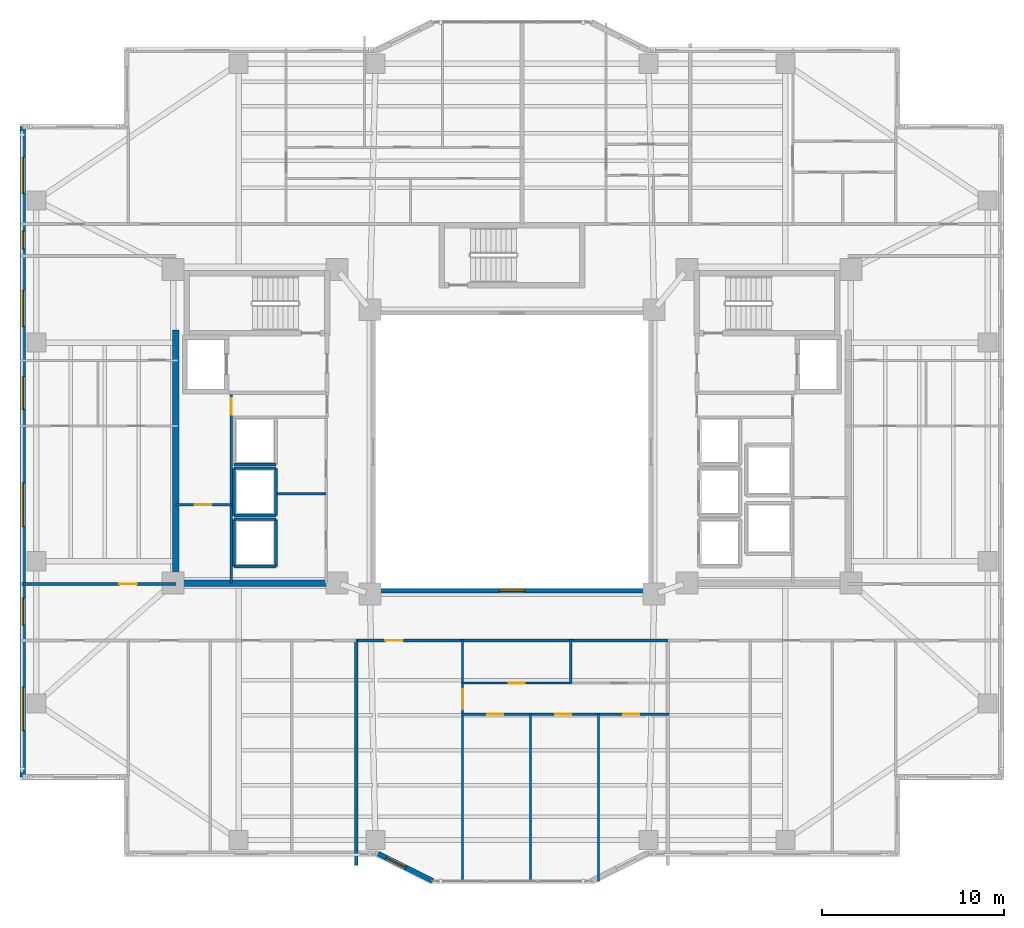
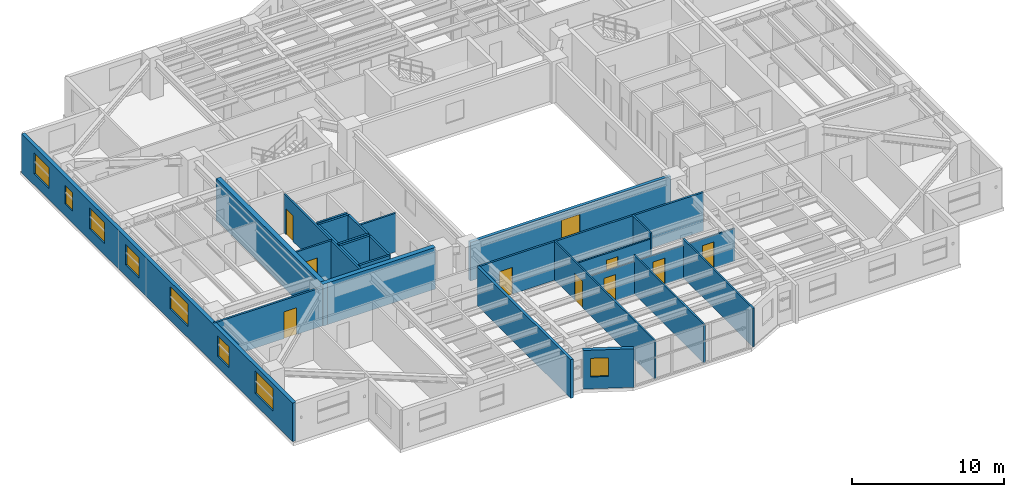
# One storey, part 6 of 18: 26 walls, 9 doors, 9 windows, 18 openings.
"""IFC4 building model written with IfcOpenShell, lengths in metres."""

from ifc_helpers import new_model, si_unit, direction, frame, frame_2d, origin, place, context, subcontext, project, spatial, rectangle, extrude, material, layer, layer_set, type_object, element, fill, save


model = new_model("IFC4")

# Units and contexts
model_context = context("Model", 3, precision=1e-05, world=origin(), true_north=direction((0.0, 1.0)))
body_context = subcontext(model_context, "Body", "Model", "MODEL_VIEW")
ifc_project = project(units=[si_unit("LENGTHUNIT", "METRE"), si_unit("AREAUNIT", "SQUARE_METRE"), si_unit("VOLUMEUNIT", "CUBIC_METRE"), si_unit("PLANEANGLEUNIT", "RADIAN"), si_unit("MASSUNIT", "GRAM", prefix="KILO")], contexts=[model_context])

# Site, building, storey
site_placement = place(None, origin())
site = spatial("IfcSite", under=ifc_project, at=site_placement, CompositionType="ELEMENT")
building_placement = place(site_placement, origin())
building = spatial("IfcBuilding", under=site, at=building_placement, Name="Tarnavaz Court Tower", CompositionType="ELEMENT")
storey_placement = place(building_placement, frame((0.0, 0.0, 91.699951171875)))
storey = spatial("IfcBuildingStorey", under=building, at=storey_placement, Name="L24", CompositionType="ELEMENT", Elevation=91.699951171875)

# Walls
ifc_material_1 = material(Name="Concrete C60/75", Category="concrete")
ifc_layer_1 = layer(ifc_material_1, 0.35009765625)
ifc_layer_set_1 = layer_set([ifc_layer_1], Name="Concrete C60/75")
wall_type_1 = type_object("IfcWallType", Name="WL-CORE-350-C60", PredefinedType="SHEAR", material=ifc_layer_set_1)
wall_1_placement = place(storey_placement, frame((-18.449951171875, -7.375, 0.0), z_axis=(0.0, 0.0, 1.0), x_axis=(0.0, 1.0, 0.0)))
element("IfcWall", 1, at=wall_1_placement, inside=storey, type_object=wall_type_1, Name="L24 West Core Shear Wall 057", PredefinedType="SHEAR", context=body_context, shape_type="SweptSolid", body=[
    extrude(rectangle(XDim=14.050048828125, YDim=0.35009765625, at=frame_2d((7.02490234375, 0.0))), origin(), (0.0, 0.0, 1.0), 3.35009765625),
])
wall_2_placement = place(storey_placement, frame((-18.625, -7.199951171875, 0.0), z_axis=(0.0, 0.0, 1.0), x_axis=(1.0, 0.0, 0.0)))
element("IfcWall", 2, at=wall_2_placement, inside=storey, type_object=wall_type_1, Name="L24 West Core South Shear Wall 058", PredefinedType="SHEAR", context=body_context, shape_type="SweptSolid", body=[
    extrude(rectangle(XDim=8.550048828125, YDim=0.35009765625, at=frame_2d((4.27490234375, 0.0))), origin(), (0.0, 0.0, 1.0), 3.35009765625),
])

# Wall, openings, windows
ifc_material_2 = material(Name="Precast Concrete C40/50", Category="concrete")
ifc_layer_2 = layer(ifc_material_2, 0.280029296875)
ifc_layer_set_2 = layer_set([ifc_layer_2], Name="Precast Concrete C40/50")
wall_type_2 = type_object("IfcWallType", Name="WL-EXT-280", PredefinedType="SOLIDWALL", material=ifc_layer_set_2)
wall_3_placement = place(storey_placement, frame((-26.85009765625, -17.85009765625, 0.0), z_axis=(0.0, 0.0, 1.0), x_axis=(0.0, 1.0, 0.0)))
wall_3 = element("IfcWall", 3, at=wall_3_placement, inside=storey, type_object=wall_type_2, Name="L24 Exterior Terracotta Facade Wall 02", PredefinedType="SOLIDWALL", context=body_context, shape_type="SweptSolid", body=[
    extrude(rectangle(XDim=35.7001953125, YDim=0.280029296875, at=frame_2d((17.85009765625, 0.0))), origin(), (0.0, 0.0, 1.0), 3.10009765625),
])
opening_1_placement = place(wall_3_placement, frame((2.550048828125, 0.0, 0.89990234375)))
opening_1 = element("IfcOpeningElement", 4, at=opening_1_placement, cuts=wall_3, Name="Opening W06", PredefinedType="OPENING", context=body_context, shape_type="SweptSolid", body=[
    extrude(rectangle(XDim=2.39990234375, YDim=1.800048828125, at=frame_2d((1.199951171875, 0.89990234375))), frame((0.0, 0.14990234375, 0.0), z_axis=(0.0, -1.0, 0.0), x_axis=(1.0, 0.0, 0.0)), (0.0, 0.0, 1.0), 0.300048828125),
])
opening_2_placement = place(wall_3_placement, frame((8.342529296875, 0.0, 0.89990234375)))
opening_2 = element("IfcOpeningElement", 5, at=opening_2_placement, cuts=wall_3, Name="Opening W03", PredefinedType="OPENING", context=body_context, shape_type="SweptSolid", body=[
    extrude(rectangle(XDim=1.5, YDim=1.64990234375, at=frame_2d((0.75, 0.824951171875))), frame((0.0, 0.14990234375, 0.0), z_axis=(0.0, -1.0, 0.0), x_axis=(1.0, 0.0, 0.0)), (0.0, 0.0, 1.0), 0.300048828125),
])
opening_3_placement = place(wall_3_placement, frame((13.75, 0.0, 0.89990234375)))
opening_3 = element("IfcOpeningElement", 6, at=opening_3_placement, cuts=wall_3, Name="Opening W06", PredefinedType="OPENING", context=body_context, shape_type="SweptSolid", body=[
    extrude(rectangle(XDim=2.39990234375, YDim=1.800048828125, at=frame_2d((1.199951171875, 0.89990234375))), frame((0.0, 0.14990234375, 0.0), z_axis=(0.0, -1.0, 0.0), x_axis=(1.0, 0.0, 0.0)), (0.0, 0.0, 1.0), 0.300048828125),
])
opening_4_placement = place(wall_3_placement, frame((20.175048828125, 0.0, 0.89990234375)))
opening_4 = element("IfcOpeningElement", 7, at=opening_4_placement, cuts=wall_3, Name="Opening W01", PredefinedType="OPENING", context=body_context, shape_type="SweptSolid", body=[
    extrude(rectangle(XDim=1.800048828125, YDim=1.64990234375, at=frame_2d((0.89990234375, 0.824951171875))), frame((0.0, 0.14990234375, 0.0), z_axis=(0.0, -1.0, 0.0), x_axis=(1.0, 0.0, 0.0)), (0.0, 0.0, 1.0), 0.300048828125),
])
opening_5_placement = place(wall_3_placement, frame((24.72509765625, 0.0, 0.89990234375)))
opening_5 = element("IfcOpeningElement", 8, at=opening_5_placement, cuts=wall_3, Name="Opening W08", PredefinedType="OPENING", context=body_context, shape_type="SweptSolid", body=[
    extrude(rectangle(XDim=2.0, YDim=1.699951171875, at=frame_2d((1.0, 0.85009765625))), frame((0.0, 0.14990234375, 0.0), z_axis=(0.0, -1.0, 0.0), x_axis=(1.0, 0.0, 0.0)), (0.0, 0.0, 1.0), 0.300048828125),
])
opening_6_placement = place(wall_3_placement, frame((28.97509765625, 0.0, 0.949951171875)))
opening_6 = element("IfcOpeningElement", 9, at=opening_6_placement, cuts=wall_3, Name="Opening W14", PredefinedType="OPENING", context=body_context, shape_type="SweptSolid", body=[
    extrude(rectangle(XDim=1.0, YDim=1.5, at=frame_2d((0.5, 0.75))), frame((0.0, 0.14990234375, 0.0), z_axis=(0.0, -1.0, 0.0), x_axis=(1.0, 0.0, 0.0)), (0.0, 0.0, 1.0), 0.300048828125),
])
opening_7_placement = place(wall_3_placement, frame((32.02490234375, 0.0, 0.89990234375)))
opening_7 = element("IfcOpeningElement", 10, at=opening_7_placement, cuts=wall_3, Name="Opening W08", PredefinedType="OPENING", context=body_context, shape_type="SweptSolid", body=[
    extrude(rectangle(XDim=2.0, YDim=1.699951171875, at=frame_2d((1.0, 0.85009765625))), frame((0.0, 0.14990234375, 0.0), z_axis=(0.0, -1.0, 0.0), x_axis=(1.0, 0.0, 0.0)), (0.0, 0.0, 1.0), 0.300048828125),
])
ifc_material_3 = material(Name="Double-Glazed Solar Low-E Glass", Category="glass")
window_type_1 = type_object("IfcWindowType", Name="WN-APT-1000", PartitioningType="SINGLE_PANEL", PredefinedType="WINDOW", material=ifc_material_3)
window_1_placement = place(opening_6_placement, origin())
window_1 = element("IfcWindow", 11, at=window_1_placement, inside=storey, type_object=window_type_1, Name="L24 North-West Corner Corridor Window", OverallHeight=1.5, OverallWidth=1.0, PartitioningType="SINGLE_PANEL", PredefinedType="WINDOW", context=body_context, shape_type="SweptSolid", body=[
    extrude(rectangle(XDim=1.0, YDim=1.5, at=frame_2d((0.5, 0.75))), frame((0.0, 0.030029296875, 0.0), z_axis=(0.0, -1.0, 0.0), x_axis=(1.0, 0.0, 0.0)), (0.0, 0.0, 1.0), 0.06005859375),
])
fill(opening_6, window_1)
window_type_2 = type_object("IfcWindowType", Name="WN-APT-1500", PartitioningType="DOUBLE_PANEL_VERTICAL", PredefinedType="WINDOW", material=ifc_material_3)
window_2_placement = place(opening_2_placement, origin())
window_2 = element("IfcWindow", 12, at=window_2_placement, inside=storey, type_object=window_type_2, Name="L24 South-West Corner Corridor Window", OverallHeight=1.64990234375, OverallWidth=1.5, PartitioningType="SINGLE_PANEL", PredefinedType="WINDOW", context=body_context, shape_type="SweptSolid", body=[
    extrude(rectangle(XDim=1.5, YDim=1.64990234375, at=frame_2d((0.75, 0.824951171875))), frame((0.0, 0.030029296875, 0.0), z_axis=(0.0, -1.0, 0.0), x_axis=(1.0, 0.0, 0.0)), (0.0, 0.0, 1.0), 0.06005859375),
])
fill(opening_2, window_2)
window_type_3 = type_object("IfcWindowType", Name="WN-APT-1800", PartitioningType="DOUBLE_PANEL_VERTICAL", PredefinedType="WINDOW", material=ifc_material_3)
window_3_placement = place(opening_4_placement, origin())
window_3 = element("IfcWindow", 13, at=window_3_placement, inside=storey, type_object=window_type_3, Name="L24 Flat 05 Kitchen Window", OverallHeight=1.64990234375, OverallWidth=1.800048828125, PartitioningType="SINGLE_PANEL", PredefinedType="WINDOW", context=body_context, shape_type="SweptSolid", body=[
    extrude(rectangle(XDim=1.800048828125, YDim=1.64990234375, at=frame_2d((0.89990234375, 0.824951171875))), frame((0.0, 0.030029296875, 0.0), z_axis=(0.0, -1.0, 0.0), x_axis=(1.0, 0.0, 0.0)), (0.0, 0.0, 1.0), 0.06005859375),
])
fill(opening_4, window_3)
window_type_4 = type_object("IfcWindowType", Name="WN-APT-2000", PartitioningType="DOUBLE_PANEL_VERTICAL", PredefinedType="WINDOW", material=ifc_material_3)
window_4_placement = place(opening_5_placement, origin())
window_4 = element("IfcWindow", 14, at=window_4_placement, inside=storey, type_object=window_type_4, Name="L24 Flat 05 Study Room Window", OverallHeight=1.699951171875, OverallWidth=2.0, PartitioningType="SINGLE_PANEL", PredefinedType="WINDOW", context=body_context, shape_type="SweptSolid", body=[
    extrude(rectangle(XDim=2.0, YDim=1.699951171875, at=frame_2d((1.0, 0.85009765625))), frame((0.0, 0.030029296875, 0.0), z_axis=(0.0, -1.0, 0.0), x_axis=(1.0, 0.0, 0.0)), (0.0, 0.0, 1.0), 0.06005859375),
])
fill(opening_5, window_4)
window_5_placement = place(opening_7_placement, origin())
window_5 = element("IfcWindow", 15, at=window_5_placement, inside=storey, type_object=window_type_4, Name="L24 North-West Corner Sunroom Study Window", OverallHeight=1.699951171875, OverallWidth=2.0, PartitioningType="SINGLE_PANEL", PredefinedType="WINDOW", context=body_context, shape_type="SweptSolid", body=[
    extrude(rectangle(XDim=2.0, YDim=1.699951171875, at=frame_2d((1.0, 0.85009765625))), frame((0.0, 0.030029296875, 0.0), z_axis=(0.0, -1.0, 0.0), x_axis=(1.0, 0.0, 0.0)), (0.0, 0.0, 1.0), 0.06005859375),
])
fill(opening_7, window_5)
window_type_5 = type_object("IfcWindowType", Name="WN-APT-2400", PartitioningType="TRIPLE_PANEL_VERTICAL", PredefinedType="WINDOW", material=ifc_material_3)
window_6_placement = place(opening_1_placement, origin())
window_6 = element("IfcWindow", 16, at=window_6_placement, inside=storey, type_object=window_type_5, Name="L24 South-West Corner Reading Room Window", OverallHeight=1.800048828125, OverallWidth=2.39990234375, PartitioningType="SINGLE_PANEL", PredefinedType="WINDOW", context=body_context, shape_type="SweptSolid", body=[
    extrude(rectangle(XDim=2.39990234375, YDim=1.800048828125, at=frame_2d((1.199951171875, 0.89990234375))), frame((0.0, 0.030029296875, 0.0), z_axis=(0.0, -1.0, 0.0), x_axis=(1.0, 0.0, 0.0)), (0.0, 0.0, 1.0), 0.06005859375),
])
fill(opening_1, window_6)
window_7_placement = place(opening_3_placement, origin())
window_7 = element("IfcWindow", 17, at=window_7_placement, inside=storey, type_object=window_type_5, Name="L24 Flat 05 Studio Living and Sleeping Room Window", OverallHeight=1.800048828125, OverallWidth=2.39990234375, PartitioningType="SINGLE_PANEL", PredefinedType="WINDOW", context=body_context, shape_type="SweptSolid", body=[
    extrude(rectangle(XDim=2.39990234375, YDim=1.800048828125, at=frame_2d((1.199951171875, 0.89990234375))), frame((0.0, 0.030029296875, 0.0), z_axis=(0.0, -1.0, 0.0), x_axis=(1.0, 0.0, 0.0)), (0.0, 0.0, 1.0), 0.06005859375),
])
fill(opening_3, window_7)

# Wall, opening, window
wall_4_placement = place(storey_placement, frame((-4.35009765625, -23.550048828125, 0.0), z_axis=(0.0, 0.0, 1.0), x_axis=(-0.894427191, 0.4472135955, 0.0)))
wall_4 = element("IfcWall", 18, at=wall_4_placement, inside=storey, type_object=wall_type_2, Name="L24 Exterior Terracotta Facade Wall 18", PredefinedType="SOLIDWALL", context=body_context, shape_type="SweptSolid", body=[
    extrude(rectangle(XDim=3.35400390625, YDim=0.280029296875, at=frame_2d((1.677001953125, 0.0))), origin(), (0.0, 0.0, 1.0), 3.10009765625),
])
opening_8_placement = place(wall_4_placement, frame((1.65283203125, 0.0, 0.949951171875)))
opening_8 = element("IfcOpeningElement", 19, at=opening_8_placement, cuts=wall_4, Name="Opening W05", PredefinedType="OPENING", context=body_context, shape_type="SweptSolid", body=[
    extrude(rectangle(XDim=1.199951171875, YDim=1.5, at=frame_2d((0.60009765625, 0.75))), frame((0.0, 0.14990234375, 0.0), z_axis=(0.0, -1.0, 0.0), x_axis=(1.0, 0.0, 0.0)), (0.0, 0.0, 1.0), 0.300048828125),
])
window_type_6 = type_object("IfcWindowType", Name="WN-APT-1200", PartitioningType="SINGLE_PANEL", PredefinedType="WINDOW", material=ifc_material_3)
window_8_placement = place(opening_8_placement, origin())
window_8 = element("IfcWindow", 20, at=window_8_placement, inside=storey, type_object=window_type_6, Name="L24 Flat 04 Living and Dining Room Window", OverallHeight=1.5, OverallWidth=1.199951171875, PartitioningType="SINGLE_PANEL", PredefinedType="WINDOW", context=body_context, shape_type="SweptSolid", body=[
    extrude(rectangle(XDim=1.199951171875, YDim=1.5, at=frame_2d((0.60009765625, 0.75))), frame((0.0, 0.030029296875, 0.0), z_axis=(0.0, -1.0, 0.0), x_axis=(1.0, 0.0, 0.0)), (0.0, 0.0, 1.0), 0.06005859375),
])
fill(opening_8, window_8)

# Wall, opening, door
ifc_material_4 = material(Name="Gypsum Fire-Board on Acoustic Metal Stud", Category="masonry")
ifc_layer_3 = layer(ifc_material_4, 0.14990234375)
ifc_layer_set_3 = layer_set([ifc_layer_3], Name="Gypsum Fire-Board on Acoustic Metal Stud")
wall_type_3 = type_object("IfcWallType", Name="WL-FIRE-150", PredefinedType="PARTITIONING", material=ifc_layer_set_3)
wall_5_placement = place(storey_placement, frame((-8.550048828125, -10.35009765625, 0.0), z_axis=(0.0, 0.0, 1.0), x_axis=(1.0, 0.0, 0.0)))
wall_5 = element("IfcWall", 21, at=wall_5_placement, inside=storey, type_object=wall_type_3, Name="L24 Interior Partition 100", PredefinedType="PARTITIONING", context=body_context, shape_type="SweptSolid", body=[
    extrude(rectangle(XDim=17.10009765625, YDim=0.14990234375, at=frame_2d((8.550048828125, 0.0))), origin(), (0.0, 0.0, 1.0), 3.10009765625),
])
opening_9_placement = place(wall_5_placement, frame((1.60009765625, 0.0, 0.0)))
opening_9 = element("IfcOpeningElement", 22, at=opening_9_placement, cuts=wall_5, Name="Opening D06", PredefinedType="OPENING", context=body_context, shape_type="SweptSolid", body=[
    extrude(rectangle(XDim=0.9599609375, YDim=2.14990234375, at=frame_2d((0.47998046875, 1.074951171875))), frame((0.0, 0.0849609375, 0.0), z_axis=(0.0, -1.0, 0.0), x_axis=(1.0, 0.0, 0.0)), (0.0, 0.0, 1.0), 0.169921875),
])
ifc_material_5 = material(Name="Fire-Rated Hardwood Timber Core", Category="wood")
door_type_1 = type_object("IfcDoorType", Name="DR-FD60-950", OperationType="NOTDEFINED", PredefinedType="DOOR", material=ifc_material_5)
door_1_placement = place(opening_9_placement, origin())
door_1 = element("IfcDoor", 23, at=door_1_placement, inside=storey, type_object=door_type_1, Name="L24 Flat 04 Entrance Door", OperationType="SINGLE_SWING_RIGHT", OverallHeight=2.14990234375, OverallWidth=0.9599609375, PredefinedType="DOOR", context=body_context, shape_type="SweptSolid", body=[
    extrude(rectangle(XDim=0.9599609375, YDim=2.14990234375, at=frame_2d((0.47998046875, 1.074951171875))), frame((0.0, 0.02490234375, 0.0), z_axis=(0.0, -1.0, 0.0), x_axis=(1.0, 0.0, 0.0)), (0.0, 0.0, 1.0), 0.050048828125),
])
fill(opening_9, door_1)

wall_6_placement = place(storey_placement, frame((-26.8798828125, -7.25, 0.0), z_axis=(0.0, 0.0, 1.0), x_axis=(1.0, 0.0, 0.0)))
wall_6 = element("IfcWall", 24, at=wall_6_placement, inside=storey, type_object=wall_type_3, Name="L24 Interior Partition 108", PredefinedType="PARTITIONING", context=body_context, shape_type="SweptSolid", body=[
    extrude(rectangle(XDim=8.429931640625, YDim=0.14990234375, at=frame_2d((4.21484375, 0.0))), origin(), (0.0, 0.0, 1.0), 3.10009765625),
])
opening_10_placement = place(wall_6_placement, frame((5.330078125, 0.0, 0.0)))
opening_10 = element("IfcOpeningElement", 25, at=opening_10_placement, cuts=wall_6, Name="Opening D06", PredefinedType="OPENING", context=body_context, shape_type="SweptSolid", body=[
    extrude(rectangle(XDim=0.9599609375, YDim=2.14990234375, at=frame_2d((0.47998046875, 1.074951171875))), frame((0.0, 0.0849609375, 0.0), z_axis=(0.0, -1.0, 0.0), x_axis=(1.0, 0.0, 0.0)), (0.0, 0.0, 1.0), 0.169921875),
])
door_2_placement = place(opening_10_placement, origin())
door_2 = element("IfcDoor", 26, at=door_2_placement, inside=storey, type_object=door_type_1, Name="L24 Flat 05 Entrance Door", OperationType="SINGLE_SWING_LEFT", OverallHeight=2.14990234375, OverallWidth=0.9599609375, PredefinedType="DOOR", context=body_context, shape_type="SweptSolid", body=[
    extrude(rectangle(XDim=0.9599609375, YDim=2.14990234375, at=frame_2d((0.47998046875, 1.074951171875))), frame((0.0, 0.02490234375, 0.0), z_axis=(0.0, -1.0, 0.0), x_axis=(1.0, 0.0, 0.0)), (0.0, 0.0, 1.0), 0.050048828125),
])
fill(opening_10, door_2)

# Wall
ifc_material_6 = material(Name="Autoclaved Aerated Concrete Blockwork", Category="masonry")
ifc_layer_4 = layer(ifc_material_6, 0.199951171875)
ifc_layer_set_4 = layer_set([ifc_layer_4], Name="Autoclaved Aerated Concrete Blockwork")
wall_type_4 = type_object("IfcWallType", Name="WL-FIRE-200", PredefinedType="SOLIDWALL", material=ifc_layer_set_4)
wall_7_placement = place(storey_placement, frame((-8.550048828125, -22.7041015625, 0.0), z_axis=(0.0, 0.0, 1.0), x_axis=(0.0, 1.0, 0.0)))
element("IfcWall", 27, at=wall_7_placement, inside=storey, type_object=wall_type_4, Name="L24 Party Wall 098", PredefinedType="SOLIDWALL", context=body_context, shape_type="SweptSolid", body=[
    extrude(rectangle(XDim=12.35400390625, YDim=0.199951171875, at=frame_2d((6.177001953125, 0.0))), origin(), (0.0, 0.0, 1.0), 3.10009765625),
])

# Wall, opening, door
ifc_material_7 = material(Name="Moisture-Resistant Gypsum Board Partition", Category="masonry")
ifc_layer_5 = layer(ifc_material_7, 0.1201171875)
ifc_layer_set_5 = layer_set([ifc_layer_5], Name="Moisture-Resistant Gypsum Board Partition")
wall_type_5 = type_object("IfcWallType", Name="WL-PART-120", PredefinedType="PARTITIONING", material=ifc_layer_set_5)
wall_8_placement = place(storey_placement, frame((-2.714111328125, -23.580078125, 0.0), z_axis=(0.0, 0.0, 1.0), x_axis=(0.0, 1.0, 0.0)))
wall_8 = element("IfcWall", 28, at=wall_8_placement, inside=storey, type_object=wall_type_5, Name="L24 Interior Partition 101", PredefinedType="PARTITIONING", context=body_context, shape_type="SweptSolid", body=[
    extrude(rectangle(XDim=13.2900390625, YDim=0.1201171875, at=frame_2d((6.64501953125, 0.0))), origin(), (0.0, 0.0, 1.0), 3.10009765625),
])
opening_11_placement = place(wall_8_placement, frame((9.465087890625, 0.0, 0.0)))
opening_11 = element("IfcOpeningElement", 29, at=opening_11_placement, cuts=wall_8, Name="Opening D12", PredefinedType="OPENING", context=body_context, shape_type="SweptSolid", body=[
    extrude(rectangle(XDim=1.080078125, YDim=2.14990234375, at=frame_2d((0.5400390625, 1.074951171875))), frame((0.0, 0.070068359375, 0.0), z_axis=(0.0, -1.0, 0.0), x_axis=(1.0, 0.0, 0.0)), (0.0, 0.0, 1.0), 0.14013671875),
])
ifc_material_8 = material(Name="Engineered Oak Timber", Category="wood")
door_type_2 = type_object("IfcDoorType", Name="DR-INT-1100", OperationType="NOTDEFINED", PredefinedType="DOOR", material=ifc_material_8)
door_3_placement = place(opening_11_placement, origin())
door_3 = element("IfcDoor", 30, at=door_3_placement, inside=storey, type_object=door_type_2, Name="L24 Flat 04 Foyer Door", OperationType="SINGLE_SWING_LEFT", OverallHeight=2.14990234375, OverallWidth=1.080078125, PredefinedType="DOOR", context=body_context, shape_type="SweptSolid", body=[
    extrude(rectangle(XDim=1.080078125, YDim=2.14990234375, at=frame_2d((0.5400390625, 1.074951171875))), frame((0.0, 0.02490234375, 0.0), z_axis=(0.0, -1.0, 0.0), x_axis=(1.0, 0.0, 0.0)), (0.0, 0.0, 1.0), 0.050048828125),
])
fill(opening_11, door_3)

wall_9_placement = place(storey_placement, frame((-2.714111328125, -12.68994140625, 0.0), z_axis=(0.0, 0.0, 1.0), x_axis=(1.0, 0.0, 0.0)))
wall_9 = element("IfcWall", 31, at=wall_9_placement, inside=storey, type_object=wall_type_5, Name="L24 Interior Partition 102", PredefinedType="PARTITIONING", context=body_context, shape_type="SweptSolid", body=[
    extrude(rectangle(XDim=5.93310546875, YDim=0.1201171875, at=frame_2d((2.966552734375, 0.0))), origin(), (0.0, 0.0, 1.0), 2.635009765625),
])
opening_12_placement = place(wall_9_placement, frame((2.52587890625, 0.0, 0.0)))
opening_12 = element("IfcOpeningElement", 32, at=opening_12_placement, cuts=wall_9, Name="Opening D14", PredefinedType="OPENING", context=body_context, shape_type="SweptSolid", body=[
    extrude(rectangle(XDim=0.8798828125, YDim=2.10009765625, at=frame_2d((0.43994140625, 1.050048828125))), frame((0.0, 0.070068359375, 0.0), z_axis=(0.0, -1.0, 0.0), x_axis=(1.0, 0.0, 0.0)), (0.0, 0.0, 1.0), 0.14013671875),
])
door_type_3 = type_object("IfcDoorType", Name="DR-INT-900", OperationType="NOTDEFINED", PredefinedType="DOOR", material=ifc_material_8)
door_4_placement = place(opening_12_placement, origin())
door_4 = element("IfcDoor", 33, at=door_4_placement, inside=storey, type_object=door_type_3, Name="L24 Flat 04 Kitchen Door", OperationType="SINGLE_SWING_RIGHT", OverallHeight=2.10009765625, OverallWidth=0.8798828125, PredefinedType="DOOR", context=body_context, shape_type="SweptSolid", body=[
    extrude(rectangle(XDim=0.8798828125, YDim=2.10009765625, at=frame_2d((0.43994140625, 1.050048828125))), frame((0.0, 0.02490234375, 0.0), z_axis=(0.0, -1.0, 0.0), x_axis=(1.0, 0.0, 0.0)), (0.0, 0.0, 1.0), 0.050048828125),
])
fill(opening_12, door_4)

# Wall, openings, doors
wall_10_placement = place(storey_placement, frame((-2.77392578125, -14.39990234375, 0.0), z_axis=(0.0, 0.0, 1.0), x_axis=(1.0, 0.0, 0.0)))
wall_10 = element("IfcWall", 34, at=wall_10_placement, inside=storey, type_object=wall_type_5, Name="L24 Interior Partition 104", PredefinedType="PARTITIONING", context=body_context, shape_type="SweptSolid", body=[
    extrude(rectangle(XDim=11.384033203125, YDim=0.1201171875, at=frame_2d((5.69189453125, 0.0))), origin(), (0.0, 0.0, 1.0), 2.635009765625),
])
opening_13_placement = place(wall_10_placement, frame((1.426025390625, 0.0, 0.0)))
opening_13 = element("IfcOpeningElement", 35, at=opening_13_placement, cuts=wall_10, Name="Opening D14", PredefinedType="OPENING", context=body_context, shape_type="SweptSolid", body=[
    extrude(rectangle(XDim=0.8798828125, YDim=2.10009765625, at=frame_2d((0.43994140625, 1.050048828125))), frame((0.0, 0.070068359375, 0.0), z_axis=(0.0, -1.0, 0.0), x_axis=(1.0, 0.0, 0.0)), (0.0, 0.0, 1.0), 0.14013671875),
])
opening_14_placement = place(wall_10_placement, frame((5.156982421875, 0.0, 0.0)))
opening_14 = element("IfcOpeningElement", 36, at=opening_14_placement, cuts=wall_10, Name="Opening D14", PredefinedType="OPENING", context=body_context, shape_type="SweptSolid", body=[
    extrude(rectangle(XDim=0.8798828125, YDim=2.10009765625, at=frame_2d((0.43994140625, 1.050048828125))), frame((0.0, 0.070068359375, 0.0), z_axis=(0.0, -1.0, 0.0), x_axis=(1.0, 0.0, 0.0)), (0.0, 0.0, 1.0), 0.14013671875),
])
opening_15_placement = place(wall_10_placement, frame((8.887939453125, 0.0, 0.0)))
opening_15 = element("IfcOpeningElement", 37, at=opening_15_placement, cuts=wall_10, Name="Opening D14", PredefinedType="OPENING", context=body_context, shape_type="SweptSolid", body=[
    extrude(rectangle(XDim=0.8798828125, YDim=2.10009765625, at=frame_2d((0.43994140625, 1.050048828125))), frame((0.0, 0.070068359375, 0.0), z_axis=(0.0, -1.0, 0.0), x_axis=(1.0, 0.0, 0.0)), (0.0, 0.0, 1.0), 0.14013671875),
])
door_5_placement = place(opening_13_placement, origin())
door_5 = element("IfcDoor", 38, at=door_5_placement, inside=storey, type_object=door_type_3, Name="L24 Flat 04 Bedroom 1 Door", OperationType="SINGLE_SWING_RIGHT", OverallHeight=2.10009765625, OverallWidth=0.8798828125, PredefinedType="DOOR", context=body_context, shape_type="SweptSolid", body=[
    extrude(rectangle(XDim=0.8798828125, YDim=2.10009765625, at=frame_2d((0.43994140625, 1.050048828125))), frame((0.0, 0.02490234375, 0.0), z_axis=(0.0, -1.0, 0.0), x_axis=(1.0, 0.0, 0.0)), (0.0, 0.0, 1.0), 0.050048828125),
])
fill(opening_13, door_5)
door_6_placement = place(opening_14_placement, origin())
door_6 = element("IfcDoor", 39, at=door_6_placement, inside=storey, type_object=door_type_3, Name="L24 Flat 04 Bedroom 2 Door", OperationType="SINGLE_SWING_LEFT", OverallHeight=2.10009765625, OverallWidth=0.8798828125, PredefinedType="DOOR", context=body_context, shape_type="SweptSolid", body=[
    extrude(rectangle(XDim=0.8798828125, YDim=2.10009765625, at=frame_2d((0.43994140625, 1.050048828125))), frame((0.0, 0.02490234375, 0.0), z_axis=(0.0, -1.0, 0.0), x_axis=(1.0, 0.0, 0.0)), (0.0, 0.0, 1.0), 0.050048828125),
])
fill(opening_14, door_6)
door_7_placement = place(opening_15_placement, origin())
door_7 = element("IfcDoor", 40, at=door_7_placement, inside=storey, type_object=door_type_3, Name="L24 Flat 04 Bedroom 3 Door", OperationType="SINGLE_SWING_RIGHT", OverallHeight=2.10009765625, OverallWidth=0.8798828125, PredefinedType="DOOR", context=body_context, shape_type="SweptSolid", body=[
    extrude(rectangle(XDim=0.8798828125, YDim=2.10009765625, at=frame_2d((0.43994140625, 1.050048828125))), frame((0.0, 0.02490234375, 0.0), z_axis=(0.0, -1.0, 0.0), x_axis=(1.0, 0.0, 0.0)), (0.0, 0.0, 1.0), 0.050048828125),
])
fill(opening_15, door_7)

# Walls
wall_11_placement = place(storey_placement, frame((3.218994140625, -12.75, 0.0), z_axis=(0.0, 0.0, 1.0), x_axis=(0.0, 1.0, 0.0)))
element("IfcWall", 41, at=wall_11_placement, inside=storey, type_object=wall_type_5, Name="L24 Interior Partition 105", PredefinedType="PARTITIONING", context=body_context, shape_type="SweptSolid", body=[
    extrude(rectangle(XDim=2.4599609375, YDim=0.1201171875, at=frame_2d((1.22998046875, 0.0))), origin(), (0.0, 0.0, 1.0), 3.10009765625),
])
for number, where, z_axis, x_axis, name in (
    (42, (1.01708984375, -23.580078125, 0.0), (0.0, 0.0, 1.0), (0.0, 1.0, 0.0), "L24 Interior Partition 106"),
    (43, (4.7490234375, -23.580078125, 0.0), (0.0, 0.0, 1.0), (0.0, 1.0, 0.0), "L24 Interior Partition 107"),
):
    element("IfcWall", number, at=place(storey_placement, frame(where, z_axis=z_axis, x_axis=x_axis)), inside=storey, type_object=wall_type_5, Name=name, PredefinedType="PARTITIONING", context=body_context, shape_type="SweptSolid", body=[
        extrude(rectangle(XDim=9.239990234375, YDim=0.1201171875, at=frame_2d((4.6201171875, 0.0))), origin(), (0.0, 0.0, 1.0), 3.10009765625),
    ])

# Wall, opening, door
ifc_material_9 = material(Name="Gypsum Plasterboard Acoustic Partition", Category="masonry")
ifc_layer_6 = layer(ifc_material_9, 0.139892578125)
ifc_layer_set_6 = layer_set([ifc_layer_6], Name="Gypsum Plasterboard Acoustic Partition")
wall_type_6 = type_object("IfcWallType", Name="WL-PART-150", PredefinedType="PARTITIONING", material=ifc_layer_set_6)
wall_12_placement = place(storey_placement, frame((-15.39990234375, -7.199951171875, 0.0), z_axis=(0.0, 0.0, 1.0), x_axis=(0.0, 1.0, 0.0)))
wall_12 = element("IfcWall", 44, at=wall_12_placement, inside=storey, type_object=wall_type_6, Name="L24 Interior Partition 063", PredefinedType="PARTITIONING", context=body_context, shape_type="SweptSolid", body=[
    extrude(rectangle(XDim=10.449951171875, YDim=0.139892578125, at=frame_2d((5.22509765625, 0.0))), origin(), (0.0, 0.0, 1.0), 3.10009765625),
])
opening_16_placement = place(wall_12_placement, frame((9.25, 0.0, 0.0)))
opening_16 = element("IfcOpeningElement", 45, at=opening_16_placement, cuts=wall_12, Name="Opening D09", PredefinedType="OPENING", context=body_context, shape_type="SweptSolid", body=[
    extrude(rectangle(XDim=0.89990234375, YDim=2.080078125, at=frame_2d((0.449951171875, 1.0400390625))), frame((0.0, 0.079833984375, 0.0), z_axis=(0.0, -1.0, 0.0), x_axis=(1.0, 0.0, 0.0)), (0.0, 0.0, 1.0), 0.159912109375),
])
door_type_4 = type_object("IfcDoorType", Name="DR-FD30-900", OperationType="NOTDEFINED", PredefinedType="DOOR", material=ifc_material_5)
door_8_placement = place(opening_16_placement, origin())
door_8 = element("IfcDoor", 46, at=door_8_placement, inside=storey, type_object=door_type_4, Name="L24 West Valve Room Door", OperationType="SINGLE_SWING_RIGHT", OverallHeight=2.080078125, OverallWidth=0.89990234375, PredefinedType="DOOR", context=body_context, shape_type="SweptSolid", body=[
    extrude(rectangle(XDim=0.89990234375, YDim=2.080078125, at=frame_2d((0.449951171875, 1.0400390625))), frame((0.0, 0.02490234375, 0.0), z_axis=(0.0, -1.0, 0.0), x_axis=(1.0, 0.0, 0.0)), (0.0, 0.0, 1.0), 0.050048828125),
])
fill(opening_16, door_8)

wall_13_placement = place(storey_placement, frame((-18.449951171875, -2.89990234375, 0.0), z_axis=(0.0, 0.0, 1.0), x_axis=(1.0, 0.0, 0.0)))
wall_13 = element("IfcWall", 47, at=wall_13_placement, inside=storey, type_object=wall_type_6, Name="L24 Interior Partition 064", PredefinedType="PARTITIONING", context=body_context, shape_type="SweptSolid", body=[
    extrude(rectangle(XDim=3.050048828125, YDim=0.139892578125, at=frame_2d((1.52490234375, 0.0))), origin(), (0.0, 0.0, 1.0), 3.10009765625),
])
opening_17_placement = place(wall_13_placement, frame((1.050048828125, 0.0, 0.0)))
opening_17 = element("IfcOpeningElement", 48, at=opening_17_placement, cuts=wall_13, Name="Opening D09", PredefinedType="OPENING", context=body_context, shape_type="SweptSolid", body=[
    extrude(rectangle(XDim=0.89990234375, YDim=2.080078125, at=frame_2d((0.449951171875, 1.0400390625))), frame((0.0, 0.079833984375, 0.0), z_axis=(0.0, -1.0, 0.0), x_axis=(1.0, 0.0, 0.0)), (0.0, 0.0, 1.0), 0.159912109375),
])
door_9_placement = place(opening_17_placement, origin())
door_9 = element("IfcDoor", 49, at=door_9_placement, inside=storey, type_object=door_type_4, Name="L24 West Power Plant Door", OperationType="SINGLE_SWING_LEFT", OverallHeight=2.080078125, OverallWidth=0.89990234375, PredefinedType="DOOR", context=body_context, shape_type="SweptSolid", body=[
    extrude(rectangle(XDim=0.89990234375, YDim=2.080078125, at=frame_2d((0.449951171875, 1.0400390625))), frame((0.0, 0.02490234375, 0.0), z_axis=(0.0, -1.0, 0.0), x_axis=(1.0, 0.0, 0.0)), (0.0, 0.0, 1.0), 0.050048828125),
])
fill(opening_17, door_9)

# Walls
wall_14_placement = place(storey_placement, frame((-12.89990234375, -2.300048828125, 0.0), z_axis=(0.0, 0.0, 1.0), x_axis=(1.0, 0.0, 0.0)))
element("IfcWall", 50, at=wall_14_placement, inside=storey, type_object=wall_type_6, Name="L24 Interior Partition 066", PredefinedType="PARTITIONING", context=body_context, shape_type="SweptSolid", body=[
    extrude(rectangle(XDim=2.699951171875, YDim=0.139892578125, at=frame_2d((1.35009765625, 0.0))), origin(), (0.0, 0.0, 1.0), 3.10009765625),
])
ifc_layer_7 = layer(ifc_material_6, 0.159912109375)
ifc_layer_set_7 = layer_set([ifc_layer_7], Name="Autoclaved Aerated Concrete Blockwork")
wall_type_7 = type_object("IfcWallType", Name="WL-SHAFT-150", PredefinedType="SOLIDWALL", material=ifc_layer_set_7)
for number, where, z_axis, x_axis, name in (
    (51, (-15.25, -6.300048828125, 0.0), (0.0, 0.0, 1.0), (0.0, 1.0, 0.0), "L24 Lift PL-H1 Shaft Wall 021"),
    (52, (-12.949951171875, -6.300048828125, 0.0), (0.0, 0.0, 1.0), (0.0, 1.0, 0.0), "L24 Lift PL-H1 Shaft Wall 022"),
):
    element("IfcWall", number, at=place(storey_placement, frame(where, z_axis=z_axis, x_axis=x_axis)), inside=storey, type_object=wall_type_7, Name=name, PredefinedType="SOLIDWALL", context=body_context, shape_type="SweptSolid", body=[
        extrude(rectangle(XDim=2.60009765625, YDim=0.159912109375, at=frame_2d((1.300048828125, 0.0))), origin(), (0.0, 0.0, 1.0), 3.10009765625),
    ])
for number, where, z_axis, x_axis, name in (
    (53, (-15.25, -6.300048828125, 0.0), (0.0, 0.0, 1.0), (1.0, 0.0, 0.0), "L24 Lift PL-H1 Shaft Wall 023"),
    (54, (-15.25, -3.699951171875, 0.0), (0.0, 0.0, 1.0), (1.0, 0.0, 0.0), "L24 Lift PL-H1 Shaft Wall 024"),
):
    element("IfcWall", number, at=place(storey_placement, frame(where, z_axis=z_axis, x_axis=x_axis)), inside=storey, type_object=wall_type_7, Name=name, PredefinedType="SOLIDWALL", context=body_context, shape_type="SweptSolid", body=[
        extrude(rectangle(XDim=2.300048828125, YDim=0.159912109375, at=frame_2d((1.14990234375, 0.0))), origin(), (0.0, 0.0, 1.0), 3.10009765625),
    ])
for number, where, z_axis, x_axis, name in (
    (55, (-15.25, -3.5, 0.0), (0.0, 0.0, 1.0), (0.0, 1.0, 0.0), "L24 Lift PL-H2 Shaft Wall 025"),
    (56, (-12.949951171875, -3.5, 0.0), (0.0, 0.0, 1.0), (0.0, 1.0, 0.0), "L24 Lift PL-H2 Shaft Wall 026"),
):
    element("IfcWall", number, at=place(storey_placement, frame(where, z_axis=z_axis, x_axis=x_axis)), inside=storey, type_object=wall_type_7, Name=name, PredefinedType="SOLIDWALL", context=body_context, shape_type="SweptSolid", body=[
        extrude(rectangle(XDim=2.60009765625, YDim=0.159912109375, at=frame_2d((1.300048828125, 0.0))), origin(), (0.0, 0.0, 1.0), 3.10009765625),
    ])
for number, where, z_axis, x_axis, name in (
    (57, (-15.25, -3.5, 0.0), (0.0, 0.0, 1.0), (1.0, 0.0, 0.0), "L24 Lift PL-H2 Shaft Wall 027"),
    (58, (-15.25, -0.89990234375, 0.0), (0.0, 0.0, 1.0), (1.0, 0.0, 0.0), "L24 Lift PL-H2 Shaft Wall 028"),
    (59, (-15.25, -0.699951171875, 0.0), (0.0, 0.0, 1.0), (1.0, 0.0, 0.0), "L24 Lift PL-H3 Shaft Wall 031"),
):
    element("IfcWall", number, at=place(storey_placement, frame(where, z_axis=z_axis, x_axis=x_axis)), inside=storey, type_object=wall_type_7, Name=name, PredefinedType="SOLIDWALL", context=body_context, shape_type="SweptSolid", body=[
        extrude(rectangle(XDim=2.300048828125, YDim=0.159912109375, at=frame_2d((1.14990234375, 0.0))), origin(), (0.0, 0.0, 1.0), 3.10009765625),
    ])

# Wall, opening, window
ifc_layer_8 = layer(ifc_material_2, 0.239990234375)
ifc_layer_set_8 = layer_set([ifc_layer_8], Name="Precast Concrete C40/50")
wall_type_8 = type_object("IfcWallType", Name="WL-WELL-240", PredefinedType="SOLIDWALL", material=ifc_layer_set_8)
wall_15_placement = place(storey_placement, frame((-7.6201171875, -7.6201171875, 0.0), z_axis=(0.0, 0.0, 1.0), x_axis=(1.0, 0.0, 0.0)))
wall_15 = element("IfcWall", 60, at=wall_15_placement, inside=storey, type_object=wall_type_8, Name="L24 Badgir Light-Well Exterior Wall S", PredefinedType="SOLIDWALL", context=body_context, shape_type="SweptSolid", body=[
    extrude(rectangle(XDim=15.240234375, YDim=0.239990234375, at=frame_2d((7.6201171875, 0.0))), origin(), (0.0, 0.0, 1.0), 3.10009765625),
])
opening_18_placement = place(wall_15_placement, frame((6.919921875, 0.0, 0.949951171875)))
opening_18 = element("IfcOpeningElement", 61, at=opening_18_placement, cuts=wall_15, Name="Opening W13", PredefinedType="OPENING", context=body_context, shape_type="SweptSolid", body=[
    extrude(rectangle(XDim=1.39990234375, YDim=1.5, at=frame_2d((0.699951171875, 0.75))), frame((0.0, 0.1298828125, 0.0), z_axis=(0.0, -1.0, 0.0), x_axis=(1.0, 0.0, 0.0)), (0.0, 0.0, 1.0), 0.260009765625),
])
window_type_7 = type_object("IfcWindowType", Name="WN-WEL-1400", PartitioningType="SINGLE_PANEL", PredefinedType="WINDOW", material=ifc_material_3)
window_9_placement = place(opening_18_placement, origin())
window_9 = element("IfcWindow", 62, at=window_9_placement, inside=storey, type_object=window_type_7, Name="L24 Courtyard Gallery Window S", OverallHeight=1.5, OverallWidth=1.39990234375, PartitioningType="SINGLE_PANEL", PredefinedType="WINDOW", context=body_context, shape_type="SweptSolid", body=[
    extrude(rectangle(XDim=1.39990234375, YDim=1.5, at=frame_2d((0.699951171875, 0.75))), frame((0.0, 0.030029296875, 0.0), z_axis=(0.0, -1.0, 0.0), x_axis=(1.0, 0.0, 0.0)), (0.0, 0.0, 1.0), 0.06005859375),
])
fill(opening_18, window_9)

save(model, "model.ifc")
